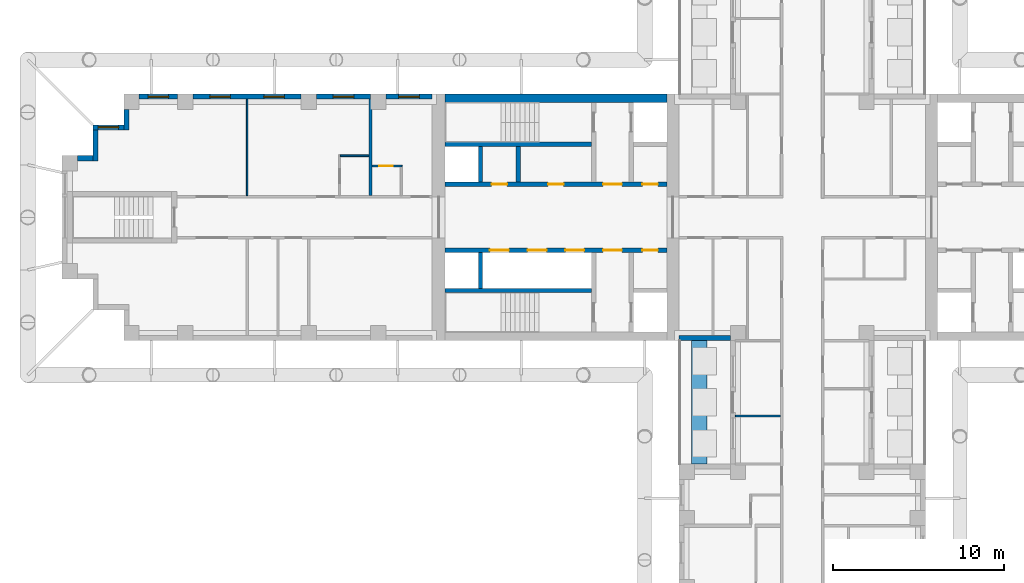
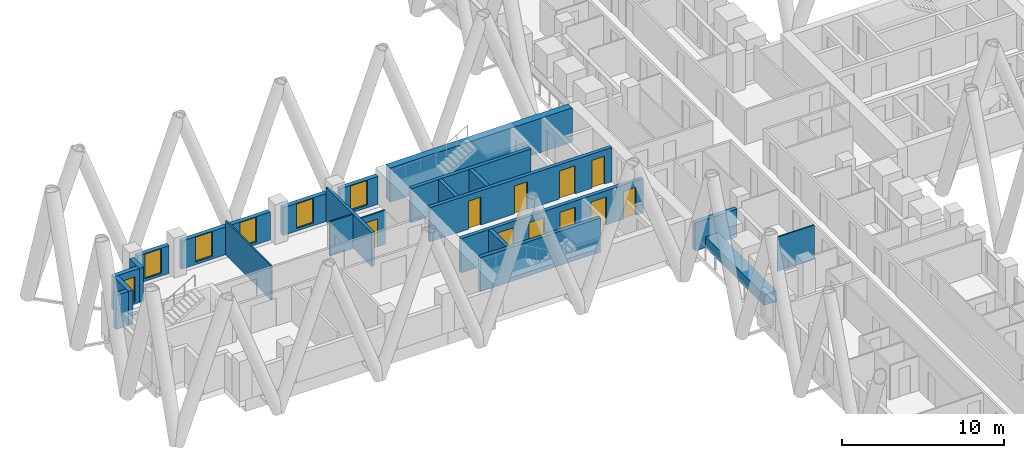
# One storey, part 7 of 17: 23 walls, 10 doors, 6 windows, 16 openings.
"""IFC4 building model written with IfcOpenShell, lengths in metres."""

from ifc_helpers import new_model, si_unit, direction, frame, frame_2d, origin, place, context, subcontext, project, spatial, rectangle, extrude, material, layer, layer_set, type_object, element, fill, save


model = new_model("IFC4")

# Units and contexts
model_context = context("Model", 3, precision=1e-05, world=origin(), true_north=direction((0.0, 1.0)))
body_context = subcontext(model_context, "Body", "Model", "MODEL_VIEW")
ifc_project = project(units=[si_unit("LENGTHUNIT", "METRE"), si_unit("AREAUNIT", "SQUARE_METRE"), si_unit("VOLUMEUNIT", "CUBIC_METRE"), si_unit("PLANEANGLEUNIT", "RADIAN"), si_unit("MASSUNIT", "GRAM", prefix="KILO")], contexts=[model_context])

# Site, building, storey
site_placement = place(None, origin())
site = spatial("IfcSite", under=ifc_project, at=site_placement, CompositionType="ELEMENT")
building_placement = place(site_placement, origin())
building = spatial("IfcBuilding", under=site, at=building_placement, Name="Fustian Cross Tower", CompositionType="ELEMENT")
storey_placement = place(building_placement, frame((0.0, 0.0, 56.699951171875)))
storey = spatial("IfcBuildingStorey", under=building, at=storey_placement, Name="L17", CompositionType="ELEMENT", Elevation=56.699951171875)

# Wall
ifc_material_1 = material(Name="Concrete C80/95", Category="concrete")
ifc_layer_1 = layer(ifc_material_1, 0.5)
ifc_layer_set_1 = layer_set([ifc_layer_1], Name="Concrete C80/95")
wall_type_1 = type_object("IfcWallType", Name="CORE FACADE WALL 500 C80/95", PredefinedType="SHEAR", material=ifc_layer_set_1)
wall_1_placement = place(storey_placement, frame((-7.89990234375, 6.949951171875, 0.0), z_axis=(0.0, 0.0, 1.0), x_axis=(-1.0, 0.0, 0.0)))
element("IfcWall", 1, at=wall_1_placement, inside=storey, type_object=wall_type_1, Name="Core facade wall", PredefinedType="SHEAR", context=body_context, shape_type="SweptSolid", body=[
    extrude(rectangle(XDim=12.9501953125, YDim=0.5, at=frame_2d((6.47509765625, 0.0))), origin(), (0.0, 0.0, 1.0), 2.574951171875),
])

# Wall, openings, doors
ifc_material_2 = material(Name="Concrete C50/60", Category="concrete")
ifc_layer_2 = layer(ifc_material_2, 0.25)
ifc_layer_set_2 = layer_set([ifc_layer_2], Name="Concrete C50/60")
wall_type_2 = type_object("IfcWallType", Name="CORE LOBBY WALL 250 C50/60", PredefinedType="SHEAR", material=ifc_layer_set_2)
wall_2_placement = place(storey_placement, frame((-7.89990234375, 1.925048828125, 0.0), z_axis=(0.0, 0.0, 1.0), x_axis=(-1.0, 0.0, 0.0)))
wall_2 = element("IfcWall", 2, at=wall_2_placement, inside=storey, type_object=wall_type_2, Name="Core lobby wall", PredefinedType="SHEAR", context=body_context, shape_type="SweptSolid", body=[
    extrude(rectangle(XDim=12.9501953125, YDim=0.25, at=frame_2d((6.47509765625, 0.0))), origin(), (0.0, 0.0, 1.0), 2.574951171875),
])
opening_1_placement = place(wall_2_placement, frame((0.52490234375, 0.0, 0.0)))
opening_1 = element("IfcOpeningElement", 3, at=opening_1_placement, cuts=wall_2, Name="Opening CD-06-23", PredefinedType="OPENING", context=body_context, shape_type="SweptSolid", body=[
    extrude(rectangle(XDim=0.89990234375, YDim=2.10009765625, at=frame_2d((0.449951171875, 1.050048828125))), frame((0.0, 0.135009765625, 0.0), z_axis=(0.0, -1.0, 0.0), x_axis=(1.0, 0.0, 0.0)), (0.0, 0.0, 1.0), 0.27001953125),
])
opening_2_placement = place(wall_2_placement, frame((2.625, 0.0, 0.0)))
opening_2 = element("IfcOpeningElement", 4, at=opening_2_placement, cuts=wall_2, Name="Opening CD-06-25", PredefinedType="OPENING", context=body_context, shape_type="SweptSolid", body=[
    extrude(rectangle(XDim=1.10009765625, YDim=2.10009765625, at=frame_2d((0.550048828125, 1.050048828125))), frame((0.0, 0.135009765625, 0.0), z_axis=(0.0, -1.0, 0.0), x_axis=(1.0, 0.0, 0.0)), (0.0, 0.0, 1.0), 0.27001953125),
])
opening_3_placement = place(wall_2_placement, frame((6.02490234375, 0.0, 0.0)))
opening_3 = element("IfcOpeningElement", 5, at=opening_3_placement, cuts=wall_2, Name="Opening CD-06-29", PredefinedType="OPENING", context=body_context, shape_type="SweptSolid", body=[
    extrude(rectangle(XDim=0.89990234375, YDim=2.10009765625, at=frame_2d((0.449951171875, 1.050048828125))), frame((0.0, 0.135009765625, 0.0), z_axis=(0.0, -1.0, 0.0), x_axis=(1.0, 0.0, 0.0)), (0.0, 0.0, 1.0), 0.27001953125),
])
opening_4_placement = place(wall_2_placement, frame((9.324951171875, 0.0, 0.0)))
opening_4 = element("IfcOpeningElement", 6, at=opening_4_placement, cuts=wall_2, Name="Opening CD-06-30", PredefinedType="OPENING", context=body_context, shape_type="SweptSolid", body=[
    extrude(rectangle(XDim=0.89990234375, YDim=2.10009765625, at=frame_2d((0.449951171875, 1.050048828125))), frame((0.0, 0.135009765625, 0.0), z_axis=(0.0, -1.0, 0.0), x_axis=(1.0, 0.0, 0.0)), (0.0, 0.0, 1.0), 0.27001953125),
])
ifc_material_3 = material(Name="Steel", Category="steel")
door_type_1 = type_object("IfcDoorType", Name="FIRE DOOR FD30S 900X2100", OperationType="SINGLE_SWING_LEFT", PredefinedType="DOOR", material=ifc_material_3)
door_1_placement = place(opening_3_placement, frame((0.89990234375, 0.0, 0.0), z_axis=(0.0, 0.0, 1.0), x_axis=(-1.0, 0.0, 0.0)))
door_1 = element("IfcDoor", 7, at=door_1_placement, inside=storey, type_object=door_type_1, Name="Core door CD-06-29", OperationType="SINGLE_SWING_LEFT", OverallHeight=2.10009765625, OverallWidth=0.89990234375, PredefinedType="DOOR", context=body_context, shape_type="SweptSolid", body=[
    extrude(rectangle(XDim=0.89990234375, YDim=2.10009765625, at=frame_2d((0.449951171875, 1.050048828125))), frame((0.0, 0.02490234375, 0.0), z_axis=(0.0, -1.0, 0.0), x_axis=(1.0, 0.0, 0.0)), (0.0, 0.0, 1.0), 0.050048828125),
])
fill(opening_3, door_1)
door_2_placement = place(opening_4_placement, frame((0.89990234375, 0.0, 0.0), z_axis=(0.0, 0.0, 1.0), x_axis=(-1.0, 0.0, 0.0)))
door_2 = element("IfcDoor", 8, at=door_2_placement, inside=storey, type_object=door_type_1, Name="Core door CD-06-30", OperationType="SINGLE_SWING_RIGHT", OverallHeight=2.10009765625, OverallWidth=0.89990234375, PredefinedType="DOOR", context=body_context, shape_type="SweptSolid", body=[
    extrude(rectangle(XDim=0.89990234375, YDim=2.10009765625, at=frame_2d((0.449951171875, 1.050048828125))), frame((0.0, 0.02490234375, 0.0), z_axis=(0.0, -1.0, 0.0), x_axis=(1.0, 0.0, 0.0)), (0.0, 0.0, 1.0), 0.050048828125),
])
fill(opening_4, door_2)
ifc_material_4 = material(Name="Steel", Category="steel")
door_type_2 = type_object("IfcDoorType", Name="FIRE DOOR FD60S 1100X2100", OperationType="SINGLE_SWING_LEFT", PredefinedType="DOOR", material=ifc_material_4)
door_3_placement = place(opening_2_placement, frame((1.10009765625, 0.0, 0.0), z_axis=(0.0, 0.0, 1.0), x_axis=(-1.0, 0.0, 0.0)))
door_3 = element("IfcDoor", 9, at=door_3_placement, inside=storey, type_object=door_type_2, Name="Core door CD-06-25", OperationType="SINGLE_SWING_RIGHT", OverallHeight=2.10009765625, OverallWidth=1.10009765625, PredefinedType="DOOR", context=body_context, shape_type="SweptSolid", body=[
    extrude(rectangle(XDim=1.10009765625, YDim=2.10009765625, at=frame_2d((0.550048828125, 1.050048828125))), frame((0.0, 0.02490234375, 0.0), z_axis=(0.0, -1.0, 0.0), x_axis=(1.0, 0.0, 0.0)), (0.0, 0.0, 1.0), 0.050048828125),
])
fill(opening_2, door_3)
ifc_material_5 = material(Name="Steel", Category="steel")
door_type_3 = type_object("IfcDoorType", Name="FIRE DOOR FD60S 900X2100", OperationType="SINGLE_SWING_LEFT", PredefinedType="DOOR", material=ifc_material_5)
door_4_placement = place(opening_1_placement, frame((0.89990234375, 0.0, 0.0), z_axis=(0.0, 0.0, 1.0), x_axis=(-1.0, 0.0, 0.0)))
door_4 = element("IfcDoor", 10, at=door_4_placement, inside=storey, type_object=door_type_3, Name="Core door CD-06-23", OperationType="SINGLE_SWING_RIGHT", OverallHeight=2.10009765625, OverallWidth=0.89990234375, PredefinedType="DOOR", context=body_context, shape_type="SweptSolid", body=[
    extrude(rectangle(XDim=0.89990234375, YDim=2.10009765625, at=frame_2d((0.449951171875, 1.050048828125))), frame((0.0, 0.02490234375, 0.0), z_axis=(0.0, -1.0, 0.0), x_axis=(1.0, 0.0, 0.0)), (0.0, 0.0, 1.0), 0.050048828125),
])
fill(opening_1, door_4)

wall_3_placement = place(storey_placement, frame((-7.89990234375, -1.925048828125, 0.0), z_axis=(0.0, 0.0, 1.0), x_axis=(-1.0, 0.0, 0.0)))
wall_3 = element("IfcWall", 11, at=wall_3_placement, inside=storey, type_object=wall_type_2, Name="Core lobby wall", PredefinedType="SHEAR", context=body_context, shape_type="SweptSolid", body=[
    extrude(rectangle(XDim=12.9501953125, YDim=0.25, at=frame_2d((6.47509765625, 0.0))), origin(), (0.0, 0.0, 1.0), 2.574951171875),
])
opening_5_placement = place(wall_3_placement, frame((4.824951171875, 0.0, 0.0)))
opening_5 = element("IfcOpeningElement", 12, at=opening_5_placement, cuts=wall_3, Name="Opening LD", PredefinedType="OPENING", context=body_context, shape_type="SweptSolid", body=[
    extrude(rectangle(XDim=1.10009765625, YDim=2.10009765625, at=frame_2d((0.550048828125, 1.050048828125))), frame((0.0, 0.135009765625, 0.0), z_axis=(0.0, -1.0, 0.0), x_axis=(1.0, 0.0, 0.0)), (0.0, 0.0, 1.0), 0.27001953125),
])
opening_6_placement = place(wall_3_placement, frame((7.02490234375, 0.0, 0.0)))
opening_6 = element("IfcOpeningElement", 13, at=opening_6_placement, cuts=wall_3, Name="Opening LD", PredefinedType="OPENING", context=body_context, shape_type="SweptSolid", body=[
    extrude(rectangle(XDim=1.10009765625, YDim=2.10009765625, at=frame_2d((0.550048828125, 1.050048828125))), frame((0.0, 0.135009765625, 0.0), z_axis=(0.0, -1.0, 0.0), x_axis=(1.0, 0.0, 0.0)), (0.0, 0.0, 1.0), 0.27001953125),
])
opening_7_placement = place(wall_3_placement, frame((9.22509765625, 0.0, 0.0)))
opening_7 = element("IfcOpeningElement", 14, at=opening_7_placement, cuts=wall_3, Name="Opening LD", PredefinedType="OPENING", context=body_context, shape_type="SweptSolid", body=[
    extrude(rectangle(XDim=1.10009765625, YDim=2.10009765625, at=frame_2d((0.550048828125, 1.050048828125))), frame((0.0, 0.135009765625, 0.0), z_axis=(0.0, -1.0, 0.0), x_axis=(1.0, 0.0, 0.0)), (0.0, 0.0, 1.0), 0.27001953125),
])
opening_8_placement = place(wall_3_placement, frame((0.52490234375, 0.0, 0.0)))
opening_8 = element("IfcOpeningElement", 15, at=opening_8_placement, cuts=wall_3, Name="Opening CD-06-24", PredefinedType="OPENING", context=body_context, shape_type="SweptSolid", body=[
    extrude(rectangle(XDim=0.89990234375, YDim=2.10009765625, at=frame_2d((0.449951171875, 1.050048828125))), frame((0.0, 0.135009765625, 0.0), z_axis=(0.0, -1.0, 0.0), x_axis=(1.0, 0.0, 0.0)), (0.0, 0.0, 1.0), 0.27001953125),
])
opening_9_placement = place(wall_3_placement, frame((2.625, 0.0, 0.0)))
opening_9 = element("IfcOpeningElement", 16, at=opening_9_placement, cuts=wall_3, Name="Opening CD-06-26", PredefinedType="OPENING", context=body_context, shape_type="SweptSolid", body=[
    extrude(rectangle(XDim=1.10009765625, YDim=2.10009765625, at=frame_2d((0.550048828125, 1.050048828125))), frame((0.0, 0.135009765625, 0.0), z_axis=(0.0, -1.0, 0.0), x_axis=(1.0, 0.0, 0.0)), (0.0, 0.0, 1.0), 0.27001953125),
])
ifc_material_6 = material(Name="Steel", Category="steel")
door_type_4 = type_object("IfcDoorType", Name="FIRE DOOR FD30S 1100X2100", OperationType="SINGLE_SWING_LEFT", PredefinedType="DOOR", material=ifc_material_6)
door_5_placement = place(opening_9_placement, frame((1.10009765625, 0.0, 0.0), z_axis=(0.0, 0.0, 1.0), x_axis=(-1.0, 0.0, 0.0)))
door_5 = element("IfcDoor", 17, at=door_5_placement, inside=storey, type_object=door_type_4, Name="Core door CD-06-26", OperationType="SINGLE_SWING_RIGHT", OverallHeight=2.10009765625, OverallWidth=1.10009765625, PredefinedType="DOOR", context=body_context, shape_type="SweptSolid", body=[
    extrude(rectangle(XDim=1.10009765625, YDim=2.10009765625, at=frame_2d((0.550048828125, 1.050048828125))), frame((0.0, 0.02490234375, 0.0), z_axis=(0.0, -1.0, 0.0), x_axis=(1.0, 0.0, 0.0)), (0.0, 0.0, 1.0), 0.050048828125),
])
fill(opening_9, door_5)
door_6_placement = place(opening_8_placement, origin())
door_6 = element("IfcDoor", 18, at=door_6_placement, inside=storey, type_object=door_type_1, Name="Core door CD-06-24", OperationType="SINGLE_SWING_LEFT", OverallHeight=2.10009765625, OverallWidth=0.89990234375, PredefinedType="DOOR", context=body_context, shape_type="SweptSolid", body=[
    extrude(rectangle(XDim=0.89990234375, YDim=2.10009765625, at=frame_2d((0.449951171875, 1.050048828125))), frame((0.0, 0.02490234375, 0.0), z_axis=(0.0, -1.0, 0.0), x_axis=(1.0, 0.0, 0.0)), (0.0, 0.0, 1.0), 0.050048828125),
])
fill(opening_8, door_6)
ifc_material_7 = material(Name="Stainless steel", Category="steel")
door_type_5 = type_object("IfcDoorType", Name="LIFT LANDING DOOR 1100X2100", OperationType="SLIDING_TO_LEFT", PredefinedType="DOOR", material=ifc_material_7)
door_7_placement = place(opening_5_placement, origin())
door_7 = element("IfcDoor", 19, at=door_7_placement, inside=storey, type_object=door_type_5, Name="Landing door LR1W", OperationType="SLIDING_TO_LEFT", OverallHeight=2.10009765625, OverallWidth=1.10009765625, PredefinedType="DOOR", context=body_context, shape_type="SweptSolid", body=[
    extrude(rectangle(XDim=1.10009765625, YDim=2.10009765625, at=frame_2d((0.550048828125, 1.050048828125))), frame((0.0, 0.02490234375, 0.0), z_axis=(0.0, -1.0, 0.0), x_axis=(1.0, 0.0, 0.0)), (0.0, 0.0, 1.0), 0.050048828125),
])
fill(opening_5, door_7)
door_8_placement = place(opening_6_placement, origin())
door_8 = element("IfcDoor", 20, at=door_8_placement, inside=storey, type_object=door_type_5, Name="Landing door LR2W", OperationType="SLIDING_TO_LEFT", OverallHeight=2.10009765625, OverallWidth=1.10009765625, PredefinedType="DOOR", context=body_context, shape_type="SweptSolid", body=[
    extrude(rectangle(XDim=1.10009765625, YDim=2.10009765625, at=frame_2d((0.550048828125, 1.050048828125))), frame((0.0, 0.02490234375, 0.0), z_axis=(0.0, -1.0, 0.0), x_axis=(1.0, 0.0, 0.0)), (0.0, 0.0, 1.0), 0.050048828125),
])
fill(opening_6, door_8)
door_9_placement = place(opening_7_placement, origin())
door_9 = element("IfcDoor", 21, at=door_9_placement, inside=storey, type_object=door_type_5, Name="Landing door LR3W", OperationType="SLIDING_TO_LEFT", OverallHeight=2.10009765625, OverallWidth=1.10009765625, PredefinedType="DOOR", context=body_context, shape_type="SweptSolid", body=[
    extrude(rectangle(XDim=1.10009765625, YDim=2.10009765625, at=frame_2d((0.550048828125, 1.050048828125))), frame((0.0, 0.02490234375, 0.0), z_axis=(0.0, -1.0, 0.0), x_axis=(1.0, 0.0, 0.0)), (0.0, 0.0, 1.0), 0.050048828125),
])
fill(opening_7, door_9)

# Walls
ifc_material_8 = material(Name="Concrete C50/60", Category="concrete")
ifc_layer_3 = layer(ifc_material_8, 0.25)
ifc_layer_set_3 = layer_set([ifc_layer_3], Name="Concrete C50/60")
wall_type_3 = type_object("IfcWallType", Name="CORE SHAFT WALL 250 C50/60", PredefinedType="SHEAR", material=ifc_layer_set_3)
for number, where, z_axis, x_axis, name in (
    (22, (-12.300048828125, 4.27490234375, 0.0), (0.0, 0.0, 1.0), (-1.0, 0.0, 0.0), "Core shaft wall"),
    (23, (-12.300048828125, -4.27490234375, 0.0), (0.0, 0.0, 1.0), (-1.0, 0.0, 0.0), "Core shaft wall"),
):
    element("IfcWall", number, at=place(storey_placement, frame(where, z_axis=z_axis, x_axis=x_axis)), inside=storey, type_object=wall_type_3, Name=name, PredefinedType="SHEAR", context=body_context, shape_type="SweptSolid", body=[
        extrude(rectangle(XDim=8.550048828125, YDim=0.25, at=frame_2d((4.27490234375, 0.0))), origin(), (0.0, 0.0, 1.0), 2.574951171875),
    ])
ifc_material_9 = material(Name="Plasterboard on steel stud", Category="steel")
ifc_layer_4 = layer(ifc_material_9, 0.10009765625)
ifc_layer_set_4 = layer_set([ifc_layer_4], Name="Plasterboard on steel stud")
wall_type_4 = type_object("IfcWallType", Name="PARTITION 100 STUD", PredefinedType="PARTITIONING", material=ifc_layer_set_4)
wall_4_placement = place(storey_placement, frame((-32.39990234375, 1.27490234375, 0.0), z_axis=(0.0, 0.0, 1.0), x_axis=(0.0, 1.0, 0.0)))
element("IfcWall", 24, at=wall_4_placement, inside=storey, type_object=wall_type_4, Name="Partition 4", PredefinedType="PARTITIONING", context=body_context, shape_type="SweptSolid", body=[
    extrude(rectangle(XDim=5.625, YDim=0.10009765625, at=frame_2d((2.8125, 0.0))), origin(), (0.0, 0.0, 1.0), 2.574951171875),
])
wall_5_placement = place(storey_placement, frame((-26.949951171875, 3.60009765625, 0.0), z_axis=(0.0, 0.0, 1.0), x_axis=(1.0, 0.0, 0.0)))
element("IfcWall", 25, at=wall_5_placement, inside=storey, type_object=wall_type_4, Name="Partition 8", PredefinedType="PARTITIONING", context=body_context, shape_type="SweptSolid", body=[
    extrude(rectangle(XDim=1.64990234375, YDim=0.10009765625, at=frame_2d((0.824951171875, 0.0))), origin(), (0.0, 0.0, 1.0), 2.574951171875),
])

# Wall, opening, door
wall_6_placement = place(storey_placement, frame((-25.10009765625, 3.0, 0.0), z_axis=(0.0, 0.0, 1.0), x_axis=(1.0, 0.0, 0.0)))
wall_6 = element("IfcWall", 26, at=wall_6_placement, inside=storey, type_object=wall_type_4, Name="Partition 10", PredefinedType="PARTITIONING", context=body_context, shape_type="SweptSolid", body=[
    extrude(rectangle(XDim=1.75, YDim=0.10009765625, at=frame_2d((0.875, 0.0))), origin(), (0.0, 0.0, 1.0), 2.574951171875),
])
opening_10_placement = place(wall_6_placement, frame((0.39990234375, 0.0, 0.0)))
opening_10 = element("IfcOpeningElement", 27, at=opening_10_placement, cuts=wall_6, Name="Opening D09048", PredefinedType="OPENING", context=body_context, shape_type="SweptSolid", body=[
    extrude(rectangle(XDim=0.800048828125, YDim=2.10009765625, at=frame_2d((0.39990234375, 1.050048828125))), frame((0.0, 0.06005859375, 0.0), z_axis=(0.0, -1.0, 0.0), x_axis=(1.0, 0.0, 0.0)), (0.0, 0.0, 1.0), 0.1201171875),
])
ifc_material_10 = material(Name="Painted timber", Category="wood")
door_type_6 = type_object("IfcDoorType", Name="SWING DOOR 800", OperationType="SINGLE_SWING_LEFT", PredefinedType="DOOR", material=ifc_material_10)
door_10_placement = place(opening_10_placement, frame((0.800048828125, 0.0, 0.0), z_axis=(0.0, 0.0, 1.0), x_axis=(-1.0, 0.0, 0.0)))
door_10 = element("IfcDoor", 28, at=door_10_placement, inside=storey, type_object=door_type_6, Name="Door D09048", OperationType="SINGLE_SWING_LEFT", OverallHeight=2.10009765625, OverallWidth=0.800048828125, PredefinedType="DOOR", context=body_context, shape_type="SweptSolid", body=[
    extrude(rectangle(XDim=0.800048828125, YDim=2.10009765625, at=frame_2d((0.39990234375, 1.050048828125))), frame((0.0, 0.02490234375, 0.0), z_axis=(0.0, -1.0, 0.0), x_axis=(1.0, 0.0, 0.0)), (0.0, 0.0, 1.0), 0.050048828125),
])
fill(opening_10, door_10)

# Walls
wall_7_placement = place(storey_placement, frame((-3.89990234375, -11.60009765625, 0.0), z_axis=(0.0, 0.0, 1.0), x_axis=(1.0, 0.0, 0.0)))
element("IfcWall", 29, at=wall_7_placement, inside=storey, type_object=wall_type_4, Name="Partition 29", PredefinedType="PARTITIONING", context=body_context, shape_type="SweptSolid", body=[
    extrude(rectangle(XDim=2.625, YDim=0.10009765625, at=frame_2d((1.3125, 0.0))), origin(), (0.0, 0.0, 1.0), 2.574951171875),
])
ifc_material_11 = material(Name="Plasterboard on steel stud", Category="steel")
ifc_layer_5 = layer(ifc_material_11, 0.199951171875)
ifc_layer_set_5 = layer_set([ifc_layer_5], Name="Plasterboard on steel stud")
wall_type_5 = type_object("IfcWallType", Name="PARTY WALL 200 EI 60", PredefinedType="PARTITIONING", material=ifc_layer_set_5)
wall_8_placement = place(storey_placement, frame((-25.199951171875, 1.27490234375, 0.0), z_axis=(0.0, 0.0, 1.0), x_axis=(0.0, 1.0, 0.0)))
element("IfcWall", 30, at=wall_8_placement, inside=storey, type_object=wall_type_5, Name="Partition 9", PredefinedType="PARTITIONING", context=body_context, shape_type="SweptSolid", body=[
    extrude(rectangle(XDim=5.625, YDim=0.199951171875, at=frame_2d((2.8125, 0.0))), origin(), (0.0, 0.0, 1.0), 2.574951171875),
])
ifc_material_12 = material(Name="Concrete C40/50", Category="concrete")
ifc_layer_6 = layer(ifc_material_12, 0.89990234375)
ifc_layer_set_6 = layer_set([ifc_layer_6], Name="Concrete C40/50")
wall_type_6 = type_object("IfcWallType", Name="PK1 PLANTER 900", PredefinedType="PARAPET", material=ifc_layer_set_6)
wall_9_placement = place(storey_placement, frame((-6.0, -14.39990234375, 0.0), z_axis=(0.0, 0.0, 1.0), x_axis=(0.0, 1.0, 0.0)))
element("IfcWall", 31, at=wall_9_placement, inside=storey, type_object=wall_type_6, Name="PLANTER", PredefinedType="PARAPET", context=body_context, shape_type="SweptSolid", body=[
    extrude(rectangle(XDim=7.199951171875, YDim=0.89990234375, at=frame_2d((3.60009765625, 0.0))), origin(), (0.0, 0.0, 1.0), 0.800048828125),
])
ifc_material_13 = material(Name="Concrete C40/50", Category="concrete")
ifc_layer_7 = layer(ifc_material_13, 0.25)
ifc_layer_set_7 = layer_set([ifc_layer_7], Name="Concrete C40/50")
wall_type_7 = type_object("IfcWallType", Name="SHAFT PARTITION WALL 250 C40/50", PredefinedType="PARTITIONING", material=ifc_layer_set_7)
for number, where, z_axis, x_axis, name in (
    (32, (-16.574951171875, 2.050048828125, 0.0), (0.0, 0.0, 1.0), (0.0, 1.0, 0.0), "Core shaft wall"),
    (33, (-18.77490234375, 2.050048828125, 0.0), (0.0, 0.0, 1.0), (0.0, 1.0, 0.0), "Core shaft wall"),
    (34, (-18.77490234375, -2.050048828125, 0.0), (0.0, 0.0, 1.0), (0.0, -1.0, 0.0), "Core shaft wall"),
):
    element("IfcWall", number, at=place(storey_placement, frame(where, z_axis=z_axis, x_axis=x_axis)), inside=storey, type_object=wall_type_7, Name=name, PredefinedType="PARTITIONING", context=body_context, shape_type="SweptSolid", body=[
        extrude(rectangle(XDim=2.099853515625, YDim=0.25, at=frame_2d((1.0498046875, 0.0))), origin(), (0.0, 0.0, 1.0), 2.574951171875),
    ])

# Wall, opening, window
ifc_material_14 = material(Name="Dark aluminium cladding on insulated backing wall", Category="aluminium")
ifc_layer_8 = layer(ifc_material_14, 0.300048828125)
ifc_layer_set_8 = layer_set([ifc_layer_8], Name="Dark aluminium cladding on insulated backing wall")
wall_type_8 = type_object("IfcWallType", Name="XW1 EXTERNAL WALL 300", PredefinedType="SOLIDWALL", material=ifc_layer_set_8)
wall_10_placement = place(storey_placement, frame((-21.60009765625, 7.050048828125, 0.0), z_axis=(0.0, 0.0, 1.0), x_axis=(-1.0, 0.0, 0.0)))
wall_10 = element("IfcWall", 35, at=wall_10_placement, inside=storey, type_object=wall_type_8, Name="External wall", PredefinedType="SOLIDWALL", context=body_context, shape_type="SweptSolid", body=[
    extrude(rectangle(XDim=2.699951171875, YDim=0.300048828125, at=frame_2d((1.35009765625, 0.0))), origin(), (0.0, 0.0, 1.0), 2.10009765625),
])
opening_11_placement = place(wall_10_placement, frame((0.75, 0.0, 0.199951171875)))
opening_11 = element("IfcOpeningElement", 36, at=opening_11_placement, cuts=wall_10, Name="Opening WN3", PredefinedType="OPENING", context=body_context, shape_type="SweptSolid", body=[
    extrude(rectangle(XDim=1.199951171875, YDim=1.85009765625, at=frame_2d((0.60009765625, 0.925048828125))), frame((0.0, 0.159912109375, 0.0), z_axis=(0.0, -1.0, 0.0), x_axis=(1.0, 0.0, 0.0)), (0.0, 0.0, 1.0), 0.320068359375),
])
ifc_material_15 = material(Name="Dark anodised aluminium and double glazing", Category="aluminium")
window_type = type_object("IfcWindowType", Name="WN3 WINDOW 1200X1850", PartitioningType="SINGLE_PANEL", PredefinedType="WINDOW", material=ifc_material_15)
window_1_placement = place(opening_11_placement, origin())
window_1 = element("IfcWindow", 37, at=window_1_placement, inside=storey, type_object=window_type, Name="Window", OverallHeight=1.85009765625, OverallWidth=1.199951171875, PartitioningType="SINGLE_PANEL", PredefinedType="WINDOW", context=body_context, shape_type="SweptSolid", body=[
    extrude(rectangle(XDim=1.199951171875, YDim=1.85009765625, at=frame_2d((0.60009765625, 0.925048828125))), frame((0.0, 0.030029296875, 0.0), z_axis=(0.0, -1.0, 0.0), x_axis=(1.0, 0.0, 0.0)), (0.0, 0.0, 1.0), 0.06005859375),
])
fill(opening_11, window_1)

wall_11_placement = place(storey_placement, frame((-25.199951171875, 7.050048828125, 0.0), z_axis=(0.0, 0.0, 1.0), x_axis=(-1.0, 0.0, 0.0)))
wall_11 = element("IfcWall", 38, at=wall_11_placement, inside=storey, type_object=wall_type_8, Name="External wall", PredefinedType="SOLIDWALL", context=body_context, shape_type="SweptSolid", body=[
    extrude(rectangle(XDim=3.150146484375, YDim=0.300048828125, at=frame_2d((1.5751953125, 0.0))), origin(), (0.0, 0.0, 1.0), 2.10009765625),
])
opening_12_placement = place(wall_11_placement, frame((0.97509765625, 0.0, 0.199951171875)))
opening_12 = element("IfcOpeningElement", 39, at=opening_12_placement, cuts=wall_11, Name="Opening WN3", PredefinedType="OPENING", context=body_context, shape_type="SweptSolid", body=[
    extrude(rectangle(XDim=1.199951171875, YDim=1.85009765625, at=frame_2d((0.60009765625, 0.925048828125))), frame((0.0, 0.159912109375, 0.0), z_axis=(0.0, -1.0, 0.0), x_axis=(1.0, 0.0, 0.0)), (0.0, 0.0, 1.0), 0.320068359375),
])
window_2_placement = place(opening_12_placement, origin())
window_2 = element("IfcWindow", 40, at=window_2_placement, inside=storey, type_object=window_type, Name="Window", OverallHeight=1.85009765625, OverallWidth=1.199951171875, PartitioningType="SINGLE_PANEL", PredefinedType="WINDOW", context=body_context, shape_type="SweptSolid", body=[
    extrude(rectangle(XDim=1.199951171875, YDim=1.85009765625, at=frame_2d((0.60009765625, 0.925048828125))), frame((0.0, 0.030029296875, 0.0), z_axis=(0.0, -1.0, 0.0), x_axis=(1.0, 0.0, 0.0)), (0.0, 0.0, 1.0), 0.06005859375),
])
fill(opening_12, window_2)

# Wall, openings, windows
wall_12_placement = place(storey_placement, frame((-29.25, 7.050048828125, 0.0), z_axis=(0.0, 0.0, 1.0), x_axis=(-1.0, 0.0, 0.0)))
wall_12 = element("IfcWall", 41, at=wall_12_placement, inside=storey, type_object=wall_type_8, Name="External wall", PredefinedType="SOLIDWALL", context=body_context, shape_type="SweptSolid", body=[
    extrude(rectangle(XDim=6.300048828125, YDim=0.300048828125, at=frame_2d((3.14990234375, 0.0))), origin(), (0.0, 0.0, 1.0), 2.10009765625),
])
opening_13_placement = place(wall_12_placement, frame((0.97509765625, 0.0, 0.199951171875)))
opening_13 = element("IfcOpeningElement", 42, at=opening_13_placement, cuts=wall_12, Name="Opening WN3", PredefinedType="OPENING", context=body_context, shape_type="SweptSolid", body=[
    extrude(rectangle(XDim=1.199951171875, YDim=1.85009765625, at=frame_2d((0.60009765625, 0.925048828125))), frame((0.0, 0.159912109375, 0.0), z_axis=(0.0, -1.0, 0.0), x_axis=(1.0, 0.0, 0.0)), (0.0, 0.0, 1.0), 0.320068359375),
])
opening_14_placement = place(wall_12_placement, frame((4.125, 0.0, 0.199951171875)))
opening_14 = element("IfcOpeningElement", 43, at=opening_14_placement, cuts=wall_12, Name="Opening WN3", PredefinedType="OPENING", context=body_context, shape_type="SweptSolid", body=[
    extrude(rectangle(XDim=1.199951171875, YDim=1.85009765625, at=frame_2d((0.60009765625, 0.925048828125))), frame((0.0, 0.159912109375, 0.0), z_axis=(0.0, -1.0, 0.0), x_axis=(1.0, 0.0, 0.0)), (0.0, 0.0, 1.0), 0.320068359375),
])
window_3_placement = place(opening_13_placement, origin())
window_3 = element("IfcWindow", 44, at=window_3_placement, inside=storey, type_object=window_type, Name="Window", OverallHeight=1.85009765625, OverallWidth=1.199951171875, PartitioningType="SINGLE_PANEL", PredefinedType="WINDOW", context=body_context, shape_type="SweptSolid", body=[
    extrude(rectangle(XDim=1.199951171875, YDim=1.85009765625, at=frame_2d((0.60009765625, 0.925048828125))), frame((0.0, 0.030029296875, 0.0), z_axis=(0.0, -1.0, 0.0), x_axis=(1.0, 0.0, 0.0)), (0.0, 0.0, 1.0), 0.06005859375),
])
fill(opening_13, window_3)
window_4_placement = place(opening_14_placement, origin())
window_4 = element("IfcWindow", 45, at=window_4_placement, inside=storey, type_object=window_type, Name="Window", OverallHeight=1.85009765625, OverallWidth=1.199951171875, PartitioningType="SINGLE_PANEL", PredefinedType="WINDOW", context=body_context, shape_type="SweptSolid", body=[
    extrude(rectangle(XDim=1.199951171875, YDim=1.85009765625, at=frame_2d((0.60009765625, 0.925048828125))), frame((0.0, 0.030029296875, 0.0), z_axis=(0.0, -1.0, 0.0), x_axis=(1.0, 0.0, 0.0)), (0.0, 0.0, 1.0), 0.06005859375),
])
fill(opening_14, window_4)

# Wall, opening, window
wall_13_placement = place(storey_placement, frame((-36.449951171875, 7.050048828125, 0.0), z_axis=(0.0, 0.0, 1.0), x_axis=(-1.0, 0.0, 0.0)))
wall_13 = element("IfcWall", 46, at=wall_13_placement, inside=storey, type_object=wall_type_8, Name="External wall", PredefinedType="SOLIDWALL", context=body_context, shape_type="SweptSolid", body=[
    extrude(rectangle(XDim=2.25, YDim=0.300048828125, at=frame_2d((1.125, 0.0))), origin(), (0.0, 0.0, 1.0), 2.10009765625),
])
opening_15_placement = place(wall_13_placement, frame((0.52490234375, 0.0, 0.199951171875)))
opening_15 = element("IfcOpeningElement", 47, at=opening_15_placement, cuts=wall_13, Name="Opening WN3", PredefinedType="OPENING", context=body_context, shape_type="SweptSolid", body=[
    extrude(rectangle(XDim=1.199951171875, YDim=1.85009765625, at=frame_2d((0.60009765625, 0.925048828125))), frame((0.0, 0.159912109375, 0.0), z_axis=(0.0, -1.0, 0.0), x_axis=(1.0, 0.0, 0.0)), (0.0, 0.0, 1.0), 0.320068359375),
])
window_5_placement = place(opening_15_placement, origin())
window_5 = element("IfcWindow", 48, at=window_5_placement, inside=storey, type_object=window_type, Name="Window", OverallHeight=1.85009765625, OverallWidth=1.199951171875, PartitioningType="SINGLE_PANEL", PredefinedType="WINDOW", context=body_context, shape_type="SweptSolid", body=[
    extrude(rectangle(XDim=1.199951171875, YDim=1.85009765625, at=frame_2d((0.60009765625, 0.925048828125))), frame((0.0, 0.030029296875, 0.0), z_axis=(0.0, -1.0, 0.0), x_axis=(1.0, 0.0, 0.0)), (0.0, 0.0, 1.0), 0.06005859375),
])
fill(opening_15, window_5)

# Wall
wall_14_placement = place(storey_placement, frame((-39.449951171875, 6.300048828125, 0.0), z_axis=(0.0, 0.0, 1.0), x_axis=(0.0, -1.0, 0.0)))
element("IfcWall", 49, at=wall_14_placement, inside=storey, type_object=wall_type_8, Name="External wall", PredefinedType="SOLIDWALL", context=body_context, shape_type="SweptSolid", body=[
    extrude(rectangle(XDim=1.199951171875, YDim=0.300048828125, at=frame_2d((0.60009765625, 0.0))), origin(), (0.0, 0.0, 1.0), 2.574951171875),
])

# Wall, opening, window
wall_15_placement = place(storey_placement, frame((-39.60009765625, 5.25, 0.0), z_axis=(0.0, 0.0, 1.0), x_axis=(-1.0, 0.0, 0.0)))
wall_15 = element("IfcWall", 50, at=wall_15_placement, inside=storey, type_object=wall_type_8, Name="External wall", PredefinedType="SOLIDWALL", context=body_context, shape_type="SweptSolid", body=[
    extrude(rectangle(XDim=1.7998046875, YDim=0.300048828125, at=frame_2d((0.89990234375, 0.0))), origin(), (0.0, 0.0, 1.0), 2.574951171875),
])
opening_16_placement = place(wall_15_placement, frame((0.300048828125, 0.0, 0.199951171875)))
opening_16 = element("IfcOpeningElement", 51, at=opening_16_placement, cuts=wall_15, Name="Opening WN3", PredefinedType="OPENING", context=body_context, shape_type="SweptSolid", body=[
    extrude(rectangle(XDim=1.199951171875, YDim=1.85009765625, at=frame_2d((0.60009765625, 0.925048828125))), frame((0.0, 0.159912109375, 0.0), z_axis=(0.0, -1.0, 0.0), x_axis=(1.0, 0.0, 0.0)), (0.0, 0.0, 1.0), 0.320068359375),
])
window_6_placement = place(opening_16_placement, origin())
window_6 = element("IfcWindow", 52, at=window_6_placement, inside=storey, type_object=window_type, Name="Window", OverallHeight=1.85009765625, OverallWidth=1.199951171875, PartitioningType="SINGLE_PANEL", PredefinedType="WINDOW", context=body_context, shape_type="SweptSolid", body=[
    extrude(rectangle(XDim=1.199951171875, YDim=1.85009765625, at=frame_2d((0.60009765625, 0.925048828125))), frame((0.0, 0.030029296875, 0.0), z_axis=(0.0, -1.0, 0.0), x_axis=(1.0, 0.0, 0.0)), (0.0, 0.0, 1.0), 0.06005859375),
])
fill(opening_16, window_6)

# Walls
wall_16_placement = place(storey_placement, frame((-41.25, 5.10009765625, 0.0), z_axis=(0.0, 0.0, 1.0), x_axis=(0.0, -1.0, 0.0)))
element("IfcWall", 53, at=wall_16_placement, inside=storey, type_object=wall_type_8, Name="External wall", PredefinedType="SOLIDWALL", context=body_context, shape_type="SweptSolid", body=[
    extrude(rectangle(XDim=1.800048828125, YDim=0.300048828125, at=frame_2d((0.89990234375, 0.0))), origin(), (0.0, 0.0, 1.0), 2.574951171875),
])
wall_17_placement = place(storey_placement, frame((-41.39990234375, 3.449951171875, 0.0), z_axis=(0.0, 0.0, 1.0), x_axis=(-1.0, 0.0, 0.0)))
element("IfcWall", 54, at=wall_17_placement, inside=storey, type_object=wall_type_8, Name="External wall", PredefinedType="SOLIDWALL", context=body_context, shape_type="SweptSolid", body=[
    extrude(rectangle(XDim=0.900146484375, YDim=0.300048828125, at=frame_2d((0.4501953125, 0.0))), origin(), (0.0, 0.0, 1.0), 2.574951171875),
])
wall_18_placement = place(storey_placement, frame((-7.199951171875, -7.050048828125, 0.0), z_axis=(0.0, 0.0, 1.0), x_axis=(1.0, 0.0, 0.0)))
element("IfcWall", 55, at=wall_18_placement, inside=storey, type_object=wall_type_8, Name="External wall", PredefinedType="SOLIDWALL", context=body_context, shape_type="SweptSolid", body=[
    extrude(rectangle(XDim=3.0, YDim=0.300048828125, at=frame_2d((1.5, 0.0))), origin(), (0.0, 0.0, 1.0), 2.10009765625),
])

save(model, "model.ifc")
